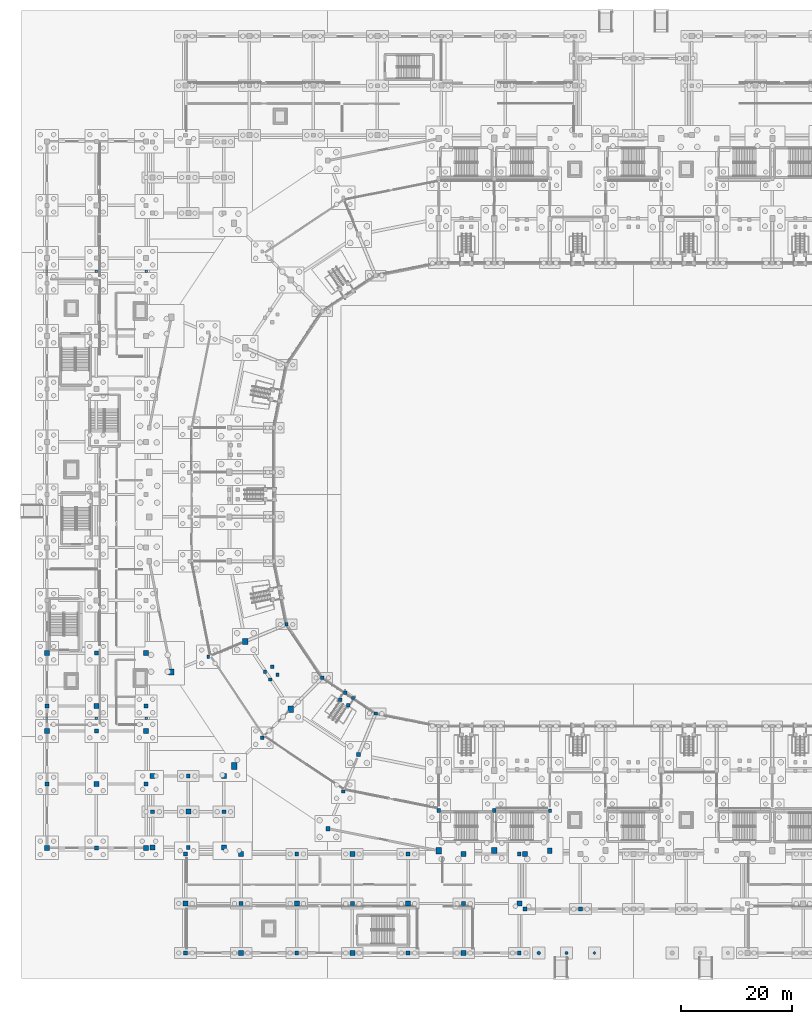
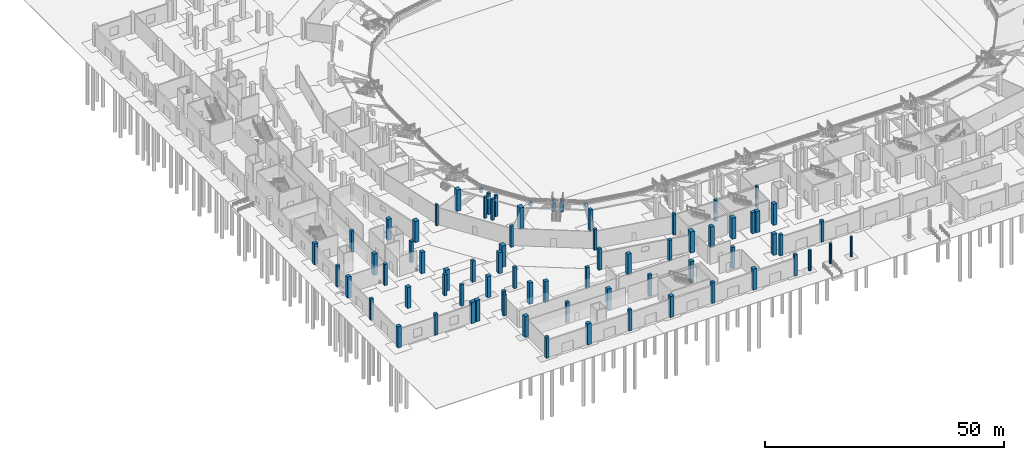
# One storey, part 14 of 68: 77 columns, 6 footings.
"""IFC4 building model written with IfcOpenShell, lengths in metres."""

from ifc_helpers import new_model, si_unit, direction, frame, origin, origin_2d, place, context, subcontext, project, spatial, rectangle, circle, extrude, material, material_profile, profile_set, type_object, element, save


model = new_model("IFC4")

# Units and contexts
model_context = context("Model", 3, precision=1e-05, world=origin(), true_north=direction((0.0, 1.0)))
body_context = subcontext(model_context, "Body", "Model", "MODEL_VIEW")
ifc_project = project(units=[si_unit("LENGTHUNIT", "METRE"), si_unit("AREAUNIT", "SQUARE_METRE"), si_unit("VOLUMEUNIT", "CUBIC_METRE"), si_unit("PLANEANGLEUNIT", "RADIAN"), si_unit("MASSUNIT", "GRAM", prefix="KILO")], contexts=[model_context])

# Site, building, storey
site_placement = place(None, origin())
site = spatial("IfcSite", under=ifc_project, at=site_placement, CompositionType="ELEMENT")
building_placement = place(site_placement, origin())
building = spatial("IfcBuilding", under=site, at=building_placement, Name="Candeia Ridge Stadium", CompositionType="ELEMENT")
storey_placement = place(building_placement, origin())
storey = spatial("IfcBuildingStorey", under=building, at=storey_placement, Name="L00", CompositionType="ELEMENT", Elevation=0.0)

# Footings
ifc_material_1 = material(Name="Concrete C40/50", Category="concrete")
footing_type = type_object("IfcFootingType", Name="Ground Tie Beam 450x750", PredefinedType="FOOTING_BEAM", material=ifc_material_1)
for number, where, z_axis, x_axis, name in (
    (1, (0.60009765625, 42.824951171875, -1.074951171875), (0.0, 0.0, 1.0), (0.0, 1.0, 0.0), "Ground tie beam GTB-0164"),
    (2, (0.60009765625, 123.175048828125, -1.074951171875), (0.0, 0.0, 1.0), (0.0, 1.0, 0.0), "Ground tie beam GTB-0182"),
    (3, (9.5, 42.824951171875, -1.074951171875), (0.0, 0.0, 1.0), (0.0, 1.0, 0.0), "Ground tie beam GTB-0193"),
    (4, (9.5, 123.175048828125, -1.074951171875), (0.0, 0.0, 1.0), (0.0, 1.0, 0.0), "Ground tie beam GTB-0211"),
    (5, (18.39990234375, 42.824951171875, -1.074951171875), (0.0, 0.0, 1.0), (0.0, 1.0, 0.0), "Ground tie beam GTB-0220"),
    (6, (18.39990234375, 123.175048828125, -1.074951171875), (0.0, 0.0, 1.0), (0.0, 1.0, 0.0), "Ground tie beam GTB-0229"),
):
    element("IfcFooting", number, at=place(storey_placement, frame(where, z_axis=z_axis, x_axis=x_axis)), inside=storey, type_object=footing_type, Name=name, PredefinedType="FOOTING_BEAM", context=body_context, shape_type="SweptSolid", body=[
        extrude(rectangle(XDim=0.469970703125, YDim=0.449951171875, at=origin_2d()), origin(), (0.0, 0.0, 1.0), 0.75),
    ])

# Columns
ifc_material_2 = material(Name="Concrete C45/55", Category="concrete")
ifc_material_profile_1 = material_profile(ifc_material_2, rectangle(XDim=1.0, YDim=1.199951171875, at=origin_2d()), Name="RC1000x1200", Category="concrete")
ifc_profile_set_1 = profile_set([ifc_material_profile_1], Name="Concrete C45/55")
column_type_1 = type_object("IfcColumnType", Name="Bowl Spine Column RC1000x1200", PredefinedType="COLUMN", material=ifc_profile_set_1)
for number, where, z_axis, x_axis, name in (
    (7, (44.412841796875, 44.412841796875, 0.0), (0.0, 0.0, 1.0), (1.0, 0.0, 0.0), "Structural column BC-MD-16 L00"),
    (8, (34.23046875, 34.23046875, 0.0), (0.0, 0.0, 1.0), (1.0, 0.0, 0.0), "Structural column BC-OU-16 L00"),
    (9, (71.0, 19.0, 0.0), (0.0, 0.0, 1.0), (1.0, 0.0, 0.0), "Structural column BC-OU-18 L00"),
):
    element("IfcColumn", number, at=place(storey_placement, frame(where, z_axis=z_axis, x_axis=x_axis)), inside=storey, type_object=column_type_1, Name=name, PredefinedType="COLUMN", context=body_context, shape_type="SweptSolid", body=[
        extrude(rectangle(XDim=1.0, YDim=1.199951171875, at=origin_2d()), origin(), (0.0, 0.0, 1.0), 5.39990234375),
    ])
ifc_material_profile_2 = material_profile(ifc_material_2, rectangle(XDim=0.89990234375, YDim=0.89990234375, at=origin_2d()), Name="RC900x900", Category="concrete")
ifc_profile_set_2 = profile_set([ifc_material_profile_2], Name="Concrete C45/55")
column_type_2 = type_object("IfcColumnType", Name="Bowl Spine Column RC900x900", PredefinedType="COLUMN", material=ifc_profile_set_2)
for number, where, z_axis, x_axis, name in (
    (10, (0.60009765625, 19.5, 0.0), (0.0, 0.0, 1.0), (1.0, 0.0, 0.0), "Structural column WP-00-00 L00"),
    (11, (0.60009765625, 40.5, 0.0), (0.0, 0.0, 1.0), (1.0, 0.0, 0.0), "Structural column WP-00-02 L00"),
    (12, (0.60009765625, 54.5, 0.0), (0.0, 0.0, 1.0), (1.0, 0.0, 0.0), "Structural column WP-00-04 L00"),
    (13, (9.5, 31.0, 0.0), (0.0, 0.0, 1.0), (1.0, 0.0, 0.0), "Structural column WP-01-01 L00"),
    (14, (9.5, 45.0, 0.0), (0.0, 0.0, 1.0), (1.0, 0.0, 0.0), "Structural column WP-01-03 L00"),
    (15, (18.39990234375, 19.5, 0.0), (0.0, 0.0, 1.0), (1.0, 0.0, 0.0), "Structural column WP-02-00 L00"),
    (16, (18.39990234375, 40.5, 0.0), (0.0, 0.0, 1.0), (1.0, 0.0, 0.0), "Structural column WP-02-02 L00"),
    (17, (18.39990234375, 54.5, 0.0), (0.0, 0.0, 1.0), (1.0, 0.0, 0.0), "Structural column WP-02-04 L00"),
    (18, (25.5, 9.5, 0.0), (0.0, 0.0, 1.0), (1.0, 0.0, 0.0), "Structural column SWW-00-01 L00"),
    (19, (35.5, 0.60009765625, 0.0), (0.0, 0.0, 1.0), (1.0, 0.0, 0.0), "Structural column SWW-01-00 L00"),
    (20, (35.5, 18.39990234375, 0.0), (0.0, 0.0, 1.0), (1.0, 0.0, 0.0), "Structural column SWW-01-02 L00"),
    (21, (45.5, 9.5, 0.0), (0.0, 0.0, 1.0), (1.0, 0.0, 0.0), "Structural column SWW-02-01 L00"),
    (22, (55.5, 0.60009765625, 0.0), (0.0, 0.0, 1.0), (1.0, 0.0, 0.0), "Structural column SWW-03-00 L00"),
    (23, (55.5, 18.39990234375, 0.0), (0.0, 0.0, 1.0), (1.0, 0.0, 0.0), "Structural column SWW-03-02 L00"),
    (24, (65.5, 9.5, 0.0), (0.0, 0.0, 1.0), (1.0, 0.0, 0.0), "Structural column SWW-04-01 L00"),
    (25, (75.5, 0.60009765625, 0.0), (0.0, 0.0, 1.0), (1.0, 0.0, 0.0), "Structural column SWW-05-00 L00"),
    (26, (75.5, 18.39990234375, 0.0), (0.0, 0.0, 1.0), (1.0, 0.0, 0.0), "Structural column SWW-05-02 L00"),
    (27, (85.5, 9.5, 0.0), (0.0, 0.0, 1.0), (1.0, 0.0, 0.0), "Structural column SWW-06-01 L00"),
    (28, (86.5, 18.39990234375, 0.0), (0.0, 0.0, 1.0), (1.0, 0.0, 0.0), "Structural column SG-00-01 L00"),
    (29, (19.60009765625, 19.60009765625, 0.0), (0.0, 0.0, 1.0), (1.0, 0.0, 0.0), "Structural column SPSW-00-00 L00"),
    (30, (19.60009765625, 32.39990234375, 0.0), (0.0, 0.0, 1.0), (1.0, 0.0, 0.0), "Structural column SPSW-00-02 L00"),
    (31, (26.0, 26.0, 0.0), (0.0, 0.0, 1.0), (1.0, 0.0, 0.0), "Structural column SPSW-01-01 L00"),
    (32, (32.39990234375, 19.60009765625, 0.0), (0.0, 0.0, 1.0), (1.0, 0.0, 0.0), "Structural column SPSW-02-00 L00"),
    (33, (32.39990234375, 32.39990234375, 0.0), (0.0, 0.0, 1.0), (1.0, 0.0, 0.0), "Structural column SPSW-02-02 L00"),
):
    element("IfcColumn", number, at=place(storey_placement, frame(where, z_axis=z_axis, x_axis=x_axis)), inside=storey, type_object=column_type_2, Name=name, PredefinedType="COLUMN", context=body_context, shape_type="SweptSolid", body=[
        extrude(rectangle(XDim=0.89990234375, YDim=0.89990234375, at=origin_2d()), origin(), (0.0, 0.0, 1.0), 5.39990234375),
    ])
ifc_material_profile_3 = material_profile(ifc_material_2, circle(Radius=0.239990234375, at=origin_2d()), Name="RCC-D480", Category="concrete")
ifc_profile_set_3 = profile_set([ifc_material_profile_3], Name="Concrete C45/55")
column_type_3 = type_object("IfcColumnType", Name="Circular Concrete Arcade Column RCC-D480", PredefinedType="COLUMN", material=ifc_profile_set_3)
column_1_placement = place(storey_placement, frame((99.0, 0.60009765625, 0.0), z_axis=(0.0, 0.0, 1.0), x_axis=(1.0, 0.0, 0.0)))
element("IfcColumn", 34, at=column_1_placement, inside=storey, type_object=column_type_3, Name="Rain passage colonnade column RP-03", PredefinedType="COLUMN", context=body_context, shape_type="SweptSolid", body=[
    extrude(circle(Radius=0.239990234375, at=origin_2d()), origin(), (0.0, 0.0, 1.0), 5.199951171875),
])
ifc_material_profile_4 = material_profile(ifc_material_2, circle(Radius=0.27490234375, at=origin_2d()), Name="RCC-D550", Category="concrete")
ifc_profile_set_4 = profile_set([ifc_material_profile_4], Name="Concrete C45/55")
column_type_4 = type_object("IfcColumnType", Name="Circular Concrete Arcade Column RCC-D550", PredefinedType="COLUMN", material=ifc_profile_set_4)
column_2_placement = place(storey_placement, frame((94.0, 0.60009765625, 0.0), z_axis=(0.0, 0.0, 1.0), x_axis=(1.0, 0.0, 0.0)))
element("IfcColumn", 35, at=column_2_placement, inside=storey, type_object=column_type_4, Name="Rain passage colonnade column RP-02", PredefinedType="COLUMN", context=body_context, shape_type="SweptSolid", body=[
    extrude(circle(Radius=0.27490234375, at=origin_2d()), origin(), (0.0, 0.0, 1.0), 5.199951171875),
])
ifc_material_profile_5 = material_profile(ifc_material_2, circle(Radius=0.324951171875, at=origin_2d()), Name="RCC-D650", Category="concrete")
ifc_profile_set_5 = profile_set([ifc_material_profile_5], Name="Concrete C45/55")
column_type_5 = type_object("IfcColumnType", Name="Circular Concrete Arcade Column RCC-D650", PredefinedType="COLUMN", material=ifc_profile_set_5)
column_3_placement = place(storey_placement, frame((89.0, 0.60009765625, 0.0), z_axis=(0.0, 0.0, 1.0), x_axis=(1.0, 0.0, 0.0)))
element("IfcColumn", 36, at=column_3_placement, inside=storey, type_object=column_type_5, Name="Rain passage colonnade column RP-01", PredefinedType="COLUMN", context=body_context, shape_type="SweptSolid", body=[
    extrude(circle(Radius=0.324951171875, at=origin_2d()), origin(), (0.0, 0.0, 1.0), 5.199951171875),
])
ifc_material_profile_6 = material_profile(ifc_material_1, rectangle(XDim=0.47998046875, YDim=0.56005859375, at=origin_2d()), Name="RC480x560", Category="concrete")
ifc_profile_set_6 = profile_set([ifc_material_profile_6], Name="Concrete C40/50")
column_type_6 = type_object("IfcColumnType", Name="Graduated Frame Column RC480x560", PredefinedType="COLUMN", material=ifc_profile_set_6)
column_4_placement = place(storey_placement, frame((29.610107421875, 53.855712890625, 0.0), z_axis=(0.0, 0.0, 1.0), x_axis=(1.0, 0.0, 0.0)))
element("IfcColumn", 37, at=column_4_placement, inside=storey, type_object=column_type_6, Name="Structural column BC-M2-15 L00", PredefinedType="COLUMN", context=body_context, shape_type="SweptSolid", body=[
    extrude(rectangle(XDim=0.47998046875, YDim=0.56005859375, at=origin_2d()), origin(), (0.0, 0.0, 1.0), 5.39990234375),
])
ifc_material_profile_7 = material_profile(ifc_material_1, rectangle(XDim=0.52001953125, YDim=0.6201171875, at=origin_2d()), Name="RC520x620", Category="concrete")
ifc_profile_set_7 = profile_set([ifc_material_profile_7], Name="Concrete C40/50")
column_type_7 = type_object("IfcColumnType", Name="Graduated Frame Column RC520x620", PredefinedType="COLUMN", material=ifc_profile_set_7)
column_5_placement = place(storey_placement, frame((91.0, 26.199951171875, 0.0), z_axis=(0.0, 0.0, 1.0), x_axis=(1.0, 0.0, 0.0)))
element("IfcColumn", 38, at=column_5_placement, inside=storey, type_object=column_type_7, Name="Structural column BC-M2-20 L00", PredefinedType="COLUMN", context=body_context, shape_type="SweptSolid", body=[
    extrude(rectangle(XDim=0.52001953125, YDim=0.6201171875, at=origin_2d()), origin(), (0.0, 0.0, 1.0), 5.39990234375),
])
ifc_material_profile_8 = material_profile(ifc_material_1, rectangle(XDim=0.580078125, YDim=0.580078125, at=origin_2d()), Name="RC580x580", Category="concrete")
ifc_profile_set_8 = profile_set([ifc_material_profile_8], Name="Concrete C40/50")
column_type_8 = type_object("IfcColumnType", Name="Graduated Frame Column RC580x580", PredefinedType="COLUMN", material=ifc_profile_set_8)
column_6_placement = place(storey_placement, frame((53.855712890625, 29.610107421875, 0.0), z_axis=(0.0, 0.0, 1.0), x_axis=(1.0, 0.0, 0.0)))
element("IfcColumn", 39, at=column_6_placement, inside=storey, type_object=column_type_8, Name="Structural column BC-M2-17 L00", PredefinedType="COLUMN", context=body_context, shape_type="SweptSolid", body=[
    extrude(rectangle(XDim=0.580078125, YDim=0.580078125, at=origin_2d()), origin(), (0.0, 0.0, 1.0), 5.39990234375),
])
ifc_material_profile_9 = material_profile(ifc_material_1, rectangle(XDim=0.580078125, YDim=0.679931640625, at=origin_2d()), Name="RC580x680", Category="concrete")
ifc_profile_set_9 = profile_set([ifc_material_profile_9], Name="Concrete C40/50")
column_type_9 = type_object("IfcColumnType", Name="Graduated Frame Column RC580x680", PredefinedType="COLUMN", material=ifc_profile_set_9)
column_7_placement = place(storey_placement, frame((81.0, 26.199951171875, 0.0), z_axis=(0.0, 0.0, 1.0), x_axis=(1.0, 0.0, 0.0)))
element("IfcColumn", 40, at=column_7_placement, inside=storey, type_object=column_type_9, Name="Structural column BC-M2-19 L00", PredefinedType="COLUMN", context=body_context, shape_type="SweptSolid", body=[
    extrude(rectangle(XDim=0.580078125, YDim=0.679931640625, at=origin_2d()), origin(), (0.0, 0.0, 1.0), 5.39990234375),
])
ifc_material_profile_10 = material_profile(ifc_material_1, rectangle(XDim=0.6201171875, YDim=0.6201171875, at=origin_2d()), Name="RC620x620", Category="concrete")
ifc_profile_set_10 = profile_set([ifc_material_profile_10], Name="Concrete C40/50")
column_type_10 = type_object("IfcColumnType", Name="Graduated Frame Column RC620x620", PredefinedType="COLUMN", material=ifc_profile_set_10)
column_8_placement = place(storey_placement, frame((39.321533203125, 39.321533203125, 0.0), z_axis=(0.0, 0.0, 1.0), x_axis=(1.0, 0.0, 0.0)))
element("IfcColumn", 41, at=column_8_placement, inside=storey, type_object=column_type_10, Name="Structural column BC-M2-16 L00", PredefinedType="COLUMN", context=body_context, shape_type="SweptSolid", body=[
    extrude(rectangle(XDim=0.6201171875, YDim=0.6201171875, at=origin_2d()), origin(), (0.0, 0.0, 1.0), 5.39990234375),
])
ifc_material_profile_11 = material_profile(ifc_material_1, rectangle(XDim=0.6201171875, YDim=0.719970703125, at=origin_2d()), Name="RC620x720", Category="concrete")
ifc_profile_set_11 = profile_set([ifc_material_profile_11], Name="Concrete C40/50")
column_type_11 = type_object("IfcColumnType", Name="Graduated Frame Column RC620x720", PredefinedType="COLUMN", material=ifc_profile_set_11)
column_9_placement = place(storey_placement, frame((71.0, 26.199951171875, 0.0), z_axis=(0.0, 0.0, 1.0), x_axis=(1.0, 0.0, 0.0)))
element("IfcColumn", 42, at=column_9_placement, inside=storey, type_object=column_type_11, Name="Structural column BC-M2-18 L00", PredefinedType="COLUMN", context=body_context, shape_type="SweptSolid", body=[
    extrude(rectangle(XDim=0.6201171875, YDim=0.719970703125, at=origin_2d()), origin(), (0.0, 0.0, 1.0), 5.39990234375),
])
ifc_material_profile_12 = material_profile(ifc_material_1, rectangle(XDim=0.679931640625, YDim=0.760009765625, at=origin_2d()), Name="RC680x760", Category="concrete")
ifc_profile_set_12 = profile_set([ifc_material_profile_12], Name="Concrete C40/50")
column_type_12 = type_object("IfcColumnType", Name="Graduated Frame Column RC680x760", PredefinedType="COLUMN", material=ifc_profile_set_12)
for number, where, z_axis, x_axis, name in (
    (43, (56.611083984375, 36.26220703125, 0.0), (0.0, 0.0, 1.0), (1.0, 0.0, 0.0), "Structural column BC-MD-17 L00"),
    (44, (51.100341796875, 22.958251953125, 0.0), (0.0, 0.0, 1.0), (1.0, 0.0, 0.0), "Structural column BC-OU-17 L00"),
):
    element("IfcColumn", number, at=place(storey_placement, frame(where, z_axis=z_axis, x_axis=x_axis)), inside=storey, type_object=column_type_12, Name=name, PredefinedType="COLUMN", context=body_context, shape_type="SweptSolid", body=[
        extrude(rectangle(XDim=0.679931640625, YDim=0.760009765625, at=origin_2d()), origin(), (0.0, 0.0, 1.0), 5.39990234375),
    ])
ifc_material_profile_13 = material_profile(ifc_material_2, rectangle(XDim=0.820068359375, YDim=0.949951171875, at=origin_2d()), Name="RC820x950", Category="concrete")
ifc_profile_set_13 = profile_set([ifc_material_profile_13], Name="Concrete C45/55")
column_type_13 = type_object("IfcColumnType", Name="Graduated Frame Column RC820x950", PredefinedType="COLUMN", material=ifc_profile_set_13)
column_10_placement = place(storey_placement, frame((91.0, 19.0, 0.0), z_axis=(0.0, 0.0, 1.0), x_axis=(1.0, 0.0, 0.0)))
element("IfcColumn", 45, at=column_10_placement, inside=storey, type_object=column_type_13, Name="Structural column BC-OU-20 L00", PredefinedType="COLUMN", context=body_context, shape_type="SweptSolid", body=[
    extrude(rectangle(XDim=0.820068359375, YDim=0.949951171875, at=origin_2d()), origin(), (0.0, 0.0, 1.0), 5.39990234375),
])
ifc_material_profile_14 = material_profile(ifc_material_2, rectangle(XDim=0.949951171875, YDim=1.10009765625, at=origin_2d()), Name="RC950x1100", Category="concrete")
ifc_profile_set_14 = profile_set([ifc_material_profile_14], Name="Concrete C45/55")
column_type_14 = type_object("IfcColumnType", Name="Reinforced Concrete Column RC950x1100", PredefinedType="COLUMN", material=ifc_profile_set_14)
for number, where, z_axis, x_axis, name in (
    (46, (36.26220703125, 56.611083984375, 0.0), (0.0, 0.0, 1.0), (1.0, 0.0, 0.0), "Structural column BC-MD-15 L00"),
    (47, (22.958251953125, 51.100341796875, 0.0), (0.0, 0.0, 1.0), (1.0, 0.0, 0.0), "Structural column BC-OU-15 L00"),
    (48, (81.0, 19.0, 0.0), (0.0, 0.0, 1.0), (1.0, 0.0, 0.0), "Structural column BC-OU-19 L00"),
):
    element("IfcColumn", number, at=place(storey_placement, frame(where, z_axis=z_axis, x_axis=x_axis)), inside=storey, type_object=column_type_14, Name=name, PredefinedType="COLUMN", context=body_context, shape_type="SweptSolid", body=[
        extrude(rectangle(XDim=0.949951171875, YDim=1.10009765625, at=origin_2d()), origin(), (0.0, 0.0, 1.0), 5.39990234375),
    ])
ifc_material_profile_15 = material_profile(ifc_material_1, rectangle(XDim=0.60009765625, YDim=0.60009765625, at=origin_2d()), Name="RC600x600", Category="concrete")
ifc_profile_set_15 = profile_set([ifc_material_profile_15], Name="Concrete C40/50")
column_type_15 = type_object("IfcColumnType", Name="Wing Column RC600x600", PredefinedType="COLUMN", material=ifc_profile_set_15)
for number, where, z_axis, x_axis, name in (
    (49, (43.653076171875, 59.672607421875, 0.0), (0.0, 0.0, 1.0), (1.0, 0.0, 0.0), "Inner stand support column BC-IN-15"),
    (50, (50.069580078125, 50.069580078125, 0.0), (0.0, 0.0, 1.0), (1.0, 0.0, 0.0), "Inner stand support column BC-IN-16"),
    (51, (59.672607421875, 43.653076171875, 0.0), (0.0, 0.0, 1.0), (1.0, 0.0, 0.0), "Inner stand support column BC-IN-17"),
):
    element("IfcColumn", number, at=place(storey_placement, frame(where, z_axis=z_axis, x_axis=x_axis)), inside=storey, type_object=column_type_15, Name=name, PredefinedType="COLUMN", context=body_context, shape_type="SweptSolid", body=[
        extrude(rectangle(XDim=0.60009765625, YDim=0.60009765625, at=origin_2d()), origin(), (0.0, 0.0, 1.0), 1.25),
    ])
for number, where, z_axis, x_axis, name in (
    (52, (54.752197265625, 45.153564453125, 0.0), (0.0, 0.0, 1.0), (1.0, 0.0, 0.0), "Vomitory VS09 landing support column 1 L00"),
    (53, (55.61328125, 46.4423828125, 0.0), (0.0, 0.0, 1.0), (1.0, 0.0, 0.0), "Vomitory VS09 landing support column 2 L00"),
    (54, (54.199951171875, 47.38671875, 0.0), (0.0, 0.0, 1.0), (1.0, 0.0, 0.0), "Vomitory VS09 landing support column 3 L00"),
    (55, (53.3388671875, 46.097900390625, 0.0), (0.0, 0.0, 1.0), (1.0, 0.0, 0.0), "Vomitory VS09 landing support column 4 L00"),
):
    element("IfcColumn", number, at=place(storey_placement, frame(where, z_axis=z_axis, x_axis=x_axis)), inside=storey, type_object=column_type_15, Name=name, PredefinedType="COLUMN", context=body_context, shape_type="SweptSolid", body=[
        extrude(rectangle(XDim=0.60009765625, YDim=0.60009765625, at=origin_2d()), origin(), (0.0, 0.0, 1.0), 2.0400390625),
    ])
for number, where, z_axis, x_axis, name in (
    (56, (40.748291015625, 49.76416015625, 0.0), (0.0, 0.0, 1.0), (1.0, 0.0, 0.0), "Vomitory VS30 landing support column 1 L00"),
    (57, (42.037109375, 50.62548828125, 0.0), (0.0, 0.0, 1.0), (1.0, 0.0, 0.0), "Vomitory VS30 landing support column 2 L00"),
    (58, (41.0927734375, 52.038818359375, 0.0), (0.0, 0.0, 1.0), (1.0, 0.0, 0.0), "Vomitory VS30 landing support column 3 L00"),
    (59, (39.803955078125, 51.177734375, 0.0), (0.0, 0.0, 1.0), (1.0, 0.0, 0.0), "Vomitory VS30 landing support column 4 L00"),
):
    element("IfcColumn", number, at=place(storey_placement, frame(where, z_axis=z_axis, x_axis=x_axis)), inside=storey, type_object=column_type_15, Name=name, PredefinedType="COLUMN", context=body_context, shape_type="SweptSolid", body=[
        extrude(rectangle(XDim=0.60009765625, YDim=0.60009765625, at=origin_2d()), origin(), (0.0, 0.0, 1.0), 5.39990234375),
    ])
ifc_material_profile_16 = material_profile(ifc_material_1, rectangle(XDim=0.699951171875, YDim=0.699951171875, at=origin_2d()), Name="RC700x700", Category="concrete")
ifc_profile_set_16 = profile_set([ifc_material_profile_16], Name="Concrete C40/50")
column_type_16 = type_object("IfcColumnType", Name="Wing Column RC700x700", PredefinedType="COLUMN", material=ifc_profile_set_16)
for number, where, z_axis, x_axis, name in (
    (60, (0.60009765625, 31.0, 0.0), (0.0, 0.0, 1.0), (1.0, 0.0, 0.0), "Structural column WP-00-01 L00"),
    (61, (0.60009765625, 45.0, 0.0), (0.0, 0.0, 1.0), (1.0, 0.0, 0.0), "Structural column WP-00-03 L00"),
    (62, (9.5, 19.5, 0.0), (0.0, 0.0, 1.0), (1.0, 0.0, 0.0), "Structural column WP-01-00 L00"),
    (63, (9.5, 40.5, 0.0), (0.0, 0.0, 1.0), (1.0, 0.0, 0.0), "Structural column WP-01-02 L00"),
    (64, (9.5, 54.5, 0.0), (0.0, 0.0, 1.0), (1.0, 0.0, 0.0), "Structural column WP-01-04 L00"),
    (65, (18.39990234375, 31.0, 0.0), (0.0, 0.0, 1.0), (1.0, 0.0, 0.0), "Structural column WP-02-01 L00"),
    (66, (18.39990234375, 45.0, 0.0), (0.0, 0.0, 1.0), (1.0, 0.0, 0.0), "Structural column WP-02-03 L00"),
    (67, (25.5, 0.60009765625, 0.0), (0.0, 0.0, 1.0), (1.0, 0.0, 0.0), "Structural column SWW-00-00 L00"),
    (68, (25.5, 18.39990234375, 0.0), (0.0, 0.0, 1.0), (1.0, 0.0, 0.0), "Structural column SWW-00-02 L00"),
    (69, (35.5, 9.5, 0.0), (0.0, 0.0, 1.0), (1.0, 0.0, 0.0), "Structural column SWW-01-01 L00"),
    (70, (45.5, 0.60009765625, 0.0), (0.0, 0.0, 1.0), (1.0, 0.0, 0.0), "Structural column SWW-02-00 L00"),
    (71, (45.5, 18.39990234375, 0.0), (0.0, 0.0, 1.0), (1.0, 0.0, 0.0), "Structural column SWW-02-02 L00"),
    (72, (55.5, 9.5, 0.0), (0.0, 0.0, 1.0), (1.0, 0.0, 0.0), "Structural column SWW-03-01 L00"),
    (73, (65.5, 0.60009765625, 0.0), (0.0, 0.0, 1.0), (1.0, 0.0, 0.0), "Structural column SWW-04-00 L00"),
    (74, (65.5, 18.39990234375, 0.0), (0.0, 0.0, 1.0), (1.0, 0.0, 0.0), "Structural column SWW-04-02 L00"),
    (75, (75.5, 9.5, 0.0), (0.0, 0.0, 1.0), (1.0, 0.0, 0.0), "Structural column SWW-05-01 L00"),
    (76, (85.5, 0.60009765625, 0.0), (0.0, 0.0, 1.0), (1.0, 0.0, 0.0), "Structural column SWW-06-00 L00"),
    (77, (85.5, 18.39990234375, 0.0), (0.0, 0.0, 1.0), (1.0, 0.0, 0.0), "Structural column SWW-06-02 L00"),
    (78, (86.5, 8.5, 0.0), (0.0, 0.0, 1.0), (1.0, 0.0, 0.0), "Structural column SG-00-00 L00"),
    (79, (96.5, 8.5, 0.0), (0.0, 0.0, 1.0), (1.0, 0.0, 0.0), "Structural column SG-01-00 L00"),
    (80, (19.60009765625, 26.0, 0.0), (0.0, 0.0, 1.0), (1.0, 0.0, 0.0), "Structural column SPSW-00-01 L00"),
    (81, (26.0, 19.60009765625, 0.0), (0.0, 0.0, 1.0), (1.0, 0.0, 0.0), "Structural column SPSW-01-00 L00"),
    (82, (26.0, 32.39990234375, 0.0), (0.0, 0.0, 1.0), (1.0, 0.0, 0.0), "Structural column SPSW-01-02 L00"),
    (83, (32.39990234375, 26.0, 0.0), (0.0, 0.0, 1.0), (1.0, 0.0, 0.0), "Structural column SPSW-02-01 L00"),
):
    element("IfcColumn", number, at=place(storey_placement, frame(where, z_axis=z_axis, x_axis=x_axis)), inside=storey, type_object=column_type_16, Name=name, PredefinedType="COLUMN", context=body_context, shape_type="SweptSolid", body=[
        extrude(rectangle(XDim=0.699951171875, YDim=0.699951171875, at=origin_2d()), origin(), (0.0, 0.0, 1.0), 5.39990234375),
    ])

save(model, "model.ifc")
